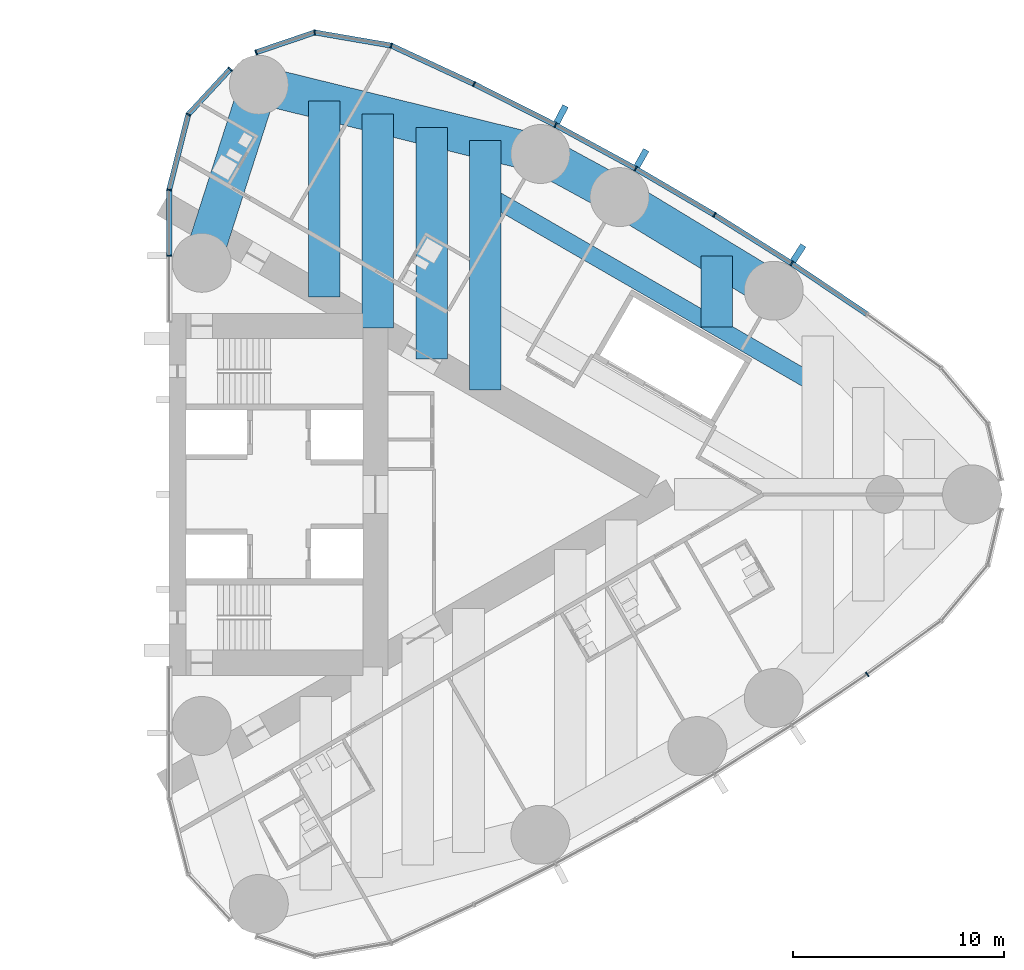
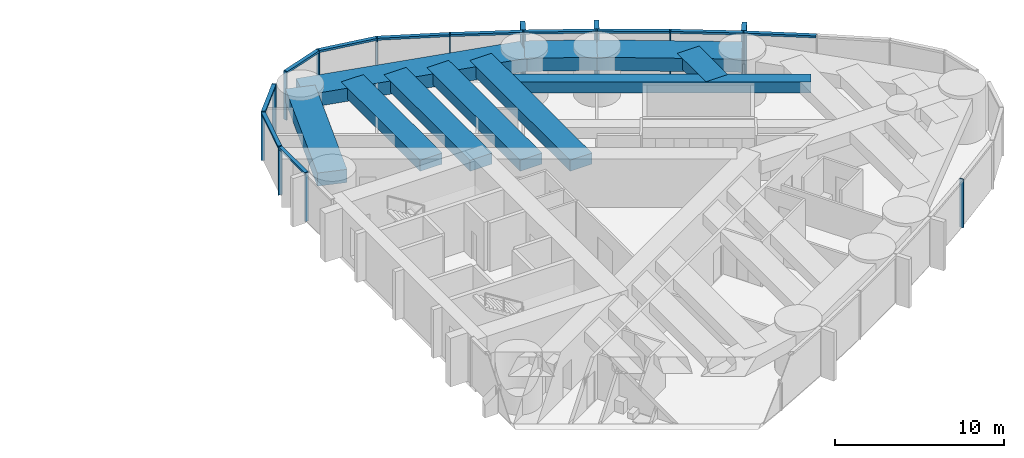
# One storey, part 8 of 19: 27 members, 10 beams, 3 elements without a shape of their own.
"""IFC4 building model written with IfcOpenShell, lengths in metres."""

import ifcopenshell
import ifcopenshell.guid

model = None  # the IFC model being written
_history = None  # IfcOwnerHistory: only IFC2X3 demands one
_inside = {}  # id of a spatial element -> (the spatial element, [elements in it])
_under = {}  # id of a project, library or spatial element -> (it, [spatial elements below it])
_declared = {}  # id of a project -> (the project, [libraries it declares])
_typed = {}  # id of a type object -> (the type object, [elements of that type])
_made_of = {}  # id of a material, layer set ... -> (it, [elements and type objects made of it])


def new_model(schema):
    """Start an empty IFC model of exactly this schema.

    Asked for "IFC4X3", IfcOpenShell would pick the latest addendum, in which some entities
    have other attributes; the version numbers below select the first issue.
    IFC2X3 requires an IfcOwnerHistory on every rooted entity: one is made here for all.
    """
    global model, _history
    if schema == "IFC4X3":
        model = ifcopenshell.file(schema_version=(4, 3, 0, 0))
    else:
        model = ifcopenshell.file(schema=schema)
    _inside.clear()
    _under.clear()
    _declared.clear()
    _typed.clear()
    _made_of.clear()
    _history = None
    if model.schema == "IFC2X3":
        org = make("IfcOrganization", Name="unknown")
        user = make(
            "IfcPersonAndOrganization",
            ThePerson=make("IfcPerson", FamilyName="unknown"),
            TheOrganization=org,
        )
        app = make(
            "IfcApplication",
            ApplicationDeveloper=org,
            Version="unknown",
            ApplicationFullName="unknown",
            ApplicationIdentifier="unknown",
        )
        _history = make(
            "IfcOwnerHistory",
            OwningUser=user,
            OwningApplication=app,
            ChangeAction="ADDED",
            CreationDate=0,
        )
    return model


def make(cls, **values):
    """One entity of the class cls with the attributes given. An attribute that is None is left unset."""
    return model.create_entity(
        cls, **{name: value for name, value in values.items() if value is not None}
    )


def rooted(cls, **values):
    """An entity with a GlobalId (a new one), such as an element, a storey or a relation."""
    return make(cls, GlobalId=ifcopenshell.guid.new(), OwnerHistory=_history, **values)


def si_unit(unit_type, name, prefix=None):
    """IfcSIUnit, for example si_unit("LENGTHUNIT", "METRE", prefix="MILLI")."""
    return make("IfcSIUnit", UnitType=unit_type, Prefix=prefix, Name=name)


def assignment(units):
    """IfcUnitAssignment: the units of a project."""
    return None if units is None else make("IfcUnitAssignment", Units=units)


def point(xyz):
    """IfcCartesianPoint."""
    return None if xyz is None else make("IfcCartesianPoint", Coordinates=xyz)


def direction(xyz):
    """IfcDirection."""
    return None if xyz is None else make("IfcDirection", DirectionRatios=xyz)


def frame(location, z_axis=None, x_axis=None):
    """IfcAxis2Placement3D, a coordinate frame: its origin and axes. An axis left out is left unset."""
    return make(
        "IfcAxis2Placement3D",
        Location=point(location),
        Axis=direction(z_axis),
        RefDirection=direction(x_axis),
    )


def frame_2d(location, x_axis=None):
    """IfcAxis2Placement2D, a coordinate frame in the plane: its origin and x axis."""
    return make(
        "IfcAxis2Placement2D", Location=point(location), RefDirection=direction(x_axis)
    )


def origin():
    """The frame at (0, 0, 0) with its axes left unset."""
    return frame((0.0, 0.0, 0.0))


def origin_2d():
    """The frame at (0, 0) in the plane with its x axis left unset."""
    return frame_2d((0.0, 0.0))


def place(relative_to, where):
    """IfcLocalPlacement: puts the frame where relative to a parent placement (None: the world)."""
    return make(
        "IfcLocalPlacement", PlacementRelTo=relative_to, RelativePlacement=where
    )


def context(
    kind, dimensions, precision=None, world=None, true_north=None, identifier=None
):
    """IfcGeometricRepresentationContext, for example the 3D "Model" context."""
    return make(
        "IfcGeometricRepresentationContext",
        ContextIdentifier=identifier,
        ContextType=kind,
        CoordinateSpaceDimension=dimensions,
        Precision=precision,
        WorldCoordinateSystem=world,
        TrueNorth=true_north,
    )


def subcontext(parent, identifier, kind, view, scale=None):
    """IfcGeometricRepresentationSubContext, for example "Body" below "Model"."""
    return make(
        "IfcGeometricRepresentationSubContext",
        ContextIdentifier=identifier,
        ContextType=kind,
        ParentContext=parent,
        TargetScale=scale,
        TargetView=view,
    )


def project(units=None, contexts=None):
    """IfcProject with its units and contexts."""
    return rooted(
        "IfcProject",
        Name="project",
        RepresentationContexts=contexts,
        UnitsInContext=assignment(units),
    )


def spatial(cls, under=None, at=None, **own):
    """A site, building, storey or space (cls), placed at a placement, below another one or the project."""
    s = rooted(cls, ObjectPlacement=at, **own)
    if under is not None:
        _under.setdefault(under.id(), (under, []))[1].append(s)
    return s


def profile(cls, at=None, kind="AREA", **sizes):
    """A parametric profile (cls). Its sizes go by their IFC names, for example OverallWidth=200.0."""
    return make(cls, ProfileType=kind, Position=at, **sizes)


def rectangle(**sizes):
    """IfcRectangleProfileDef."""
    return profile("IfcRectangleProfileDef", **sizes)


def hollow_rectangle(**sizes):
    """IfcRectangleHollowProfileDef."""
    return profile("IfcRectangleHollowProfileDef", **sizes)


def extrude(swept, where, along, depth):
    """IfcExtrudedAreaSolid: the profile swept, set in the frame where, extruded along a direction by depth."""
    return make(
        "IfcExtrudedAreaSolid",
        SweptArea=swept,
        Position=where,
        ExtrudedDirection=direction(along),
        Depth=depth,
    )


def shape(context_of_items, identifier, shape_type, items):
    """IfcShapeRepresentation: the items that make up one representation, for example the "Body"."""
    return make(
        "IfcShapeRepresentation",
        ContextOfItems=context_of_items,
        RepresentationIdentifier=identifier,
        RepresentationType=shape_type,
        Items=items,
    )


def material(Name=None, Category=None):
    """IfcMaterial."""
    return make("IfcMaterial", Name=Name, Category=Category)


def material_profile(
    of_material, cross_section, Name=None, Category=None, Priority=None
):
    """IfcMaterialProfile: a cross section and its material."""
    return make(
        "IfcMaterialProfile",
        Name=Name,
        Material=of_material,
        Profile=cross_section,
        Priority=Priority,
        Category=Category,
    )


def profile_set(profiles, Name=None, composite=None):
    """IfcMaterialProfileSet."""
    return make(
        "IfcMaterialProfileSet",
        Name=Name,
        MaterialProfiles=profiles,
        CompositeProfile=composite,
    )


def made_of(thing, what):
    """Note that an element or type object is made of a material, layer set ...; save() writes the relation."""
    if what is not None:
        _made_of.setdefault(what.id(), (what, []))[1].append(thing)
    return thing


def type_object(cls, material=None, **own):
    """A type object (cls), such as IfcWallType, which elements share."""
    return made_of(rooted(cls, **own), material)


def element(
    cls,
    number,
    at=None,
    inside=None,
    cuts=None,
    type_object=None,
    material=None,
    context=None,
    identifier="Body",
    shape_type=None,
    held_by="IfcProductDefinitionShape",
    body=None,
    shapes=None,
    **own,
):
    """One element of the class cls, such as IfcWall. Its Tag is "e" and its number.

    at: its placement. inside: the storey or other place that contains it. cuts: it is an
    opening in that element (IfcRelVoidsElement). A single representation is given by context,
    identifier, shape_type and body (its items); several are given by shapes. held_by: the class
    of the entity that holds the representations. save() writes the other relations.
    """
    e = rooted(cls, Tag="e%d" % number, ObjectPlacement=at, **own)
    if body is not None:
        shapes = [shape(context, identifier, shape_type, body)]
    if shapes is not None:
        e.Representation = make(held_by, Representations=shapes)
    if inside is not None:
        _inside.setdefault(inside.id(), (inside, []))[1].append(e)
    if cuts is not None:
        rooted(
            "IfcRelVoidsElement", RelatingBuildingElement=cuts, RelatedOpeningElement=e
        )
    if type_object is not None:
        _typed.setdefault(type_object.id(), (type_object, []))[1].append(e)
    return made_of(e, material)


def aggregate(whole, parts):
    """IfcRelAggregates: a whole, such as a stair, and the parts it consists of."""
    return rooted("IfcRelAggregates", RelatingObject=whole, RelatedObjects=parts)


def save(model, path):
    """Write the relations noted so far, then the file.

    IfcRelAggregates (storeys below a building ...), IfcRelContainedInSpatialStructure (elements
    in a storey), IfcRelDefinesByType, IfcRelAssociatesMaterial and IfcRelDeclares: one each for
    every whole, place, type object, material and project.
    """
    for whole, parts in _under.values():
        aggregate(whole, parts)
    for where, things in _inside.values():
        rooted(
            "IfcRelContainedInSpatialStructure",
            RelatedElements=things,
            RelatingStructure=where,
        )
    for kind, things in _typed.values():
        rooted("IfcRelDefinesByType", RelatedObjects=things, RelatingType=kind)
    for what, things in _made_of.values():
        rooted("IfcRelAssociatesMaterial", RelatedObjects=things, RelatingMaterial=what)
    for by, libraries in _declared.values():
        rooted("IfcRelDeclares", RelatingContext=by, RelatedDefinitions=libraries)
    model.write(path)


model = new_model("IFC4")

# Units and contexts
model_context = context("Model", 3, precision=1e-05, world=origin(), true_north=direction((0.0, 1.0)))
body_context = subcontext(model_context, "Body", "Model", "MODEL_VIEW")
ifc_project = project(units=[si_unit("LENGTHUNIT", "METRE"), si_unit("AREAUNIT", "SQUARE_METRE"), si_unit("VOLUMEUNIT", "CUBIC_METRE"), si_unit("PLANEANGLEUNIT", "RADIAN"), si_unit("MASSUNIT", "GRAM", prefix="KILO")], contexts=[model_context])

# Site, building, storey
site_placement = place(None, origin())
site = spatial("IfcSite", under=ifc_project, at=site_placement, CompositionType="ELEMENT")
building_placement = place(site_placement, origin())
building = spatial("IfcBuilding", under=site, at=building_placement, Name="Lancet Gate Hotel", CompositionType="ELEMENT")
storey_placement = place(building_placement, frame((0.0, 0.0, 173.800048828125)))
storey = spatial("IfcBuildingStorey", under=building, at=storey_placement, Name="L46", CompositionType="ELEMENT", Elevation=173.800048828125)

# Curtain wall, member
ifc_material_1 = material(Name="Aluminium curtain wall", Category="aluminium")
curtain_wall_type = type_object("IfcCurtainWallType", Name="Tower unitised curtain wall", PredefinedType="USERDEFINED", material=ifc_material_1)
curtain_wall_1_placement = place(storey_placement, origin())
curtain_wall_1 = element("IfcCurtainWall", 1, at=curtain_wall_1_placement, inside=storey, type_object=curtain_wall_type, Name="T2 L46 curtain wall 2", ObjectType="UNITISED CURTAIN WALL", PredefinedType="USERDEFINED")
ifc_material_2 = material(Name="Aluminium mullion", Category="aluminium")
ifc_material_profile_1 = material_profile(ifc_material_2, rectangle(XDim=0.06494140625, YDim=0.25, at=origin_2d()), Name="MULLION 65x250")
ifc_profile_set_1 = profile_set([ifc_material_profile_1], Name="Aluminium mullion")
member_type_1 = type_object("IfcMemberType", Name="Aluminium mullion 65x250", PredefinedType="MULLION", material=ifc_profile_set_1)
member_1_placement = place(storey_placement, frame((60.66015625, -8.547607421875, 0.0), z_axis=(0.0, 0.0, 1.0), x_axis=(0.820068208435, 0.572265789222, 0.0)))
member_1 = element("IfcMember", 2, at=member_1_placement, type_object=member_type_1, Name="T2 L46 curtain wall 2 mullion 9", PredefinedType="MULLION", context=body_context, shape_type="SweptSolid", body=[
    extrude(rectangle(XDim=0.06494140625, YDim=0.25, at=origin_2d()), origin(), (0.0, 0.0, 1.0), 3.5),
])
aggregate(curtain_wall_1, [member_1])

# Curtain wall, members
curtain_wall_2_placement = place(storey_placement, origin())
curtain_wall_2 = element("IfcCurtainWall", 3, at=curtain_wall_2_placement, inside=storey, type_object=curtain_wall_type, Name="T2 L46 curtain wall 3", ObjectType="UNITISED CURTAIN WALL", PredefinedType="USERDEFINED")
member_2_placement = place(storey_placement, frame((57.067138671875, 10.970947265625, 0.0), z_axis=(0.0, 0.0, 1.0), x_axis=(-0.837800943278, 0.545975804815, 0.0)))
member_2 = element("IfcMember", 4, at=member_2_placement, type_object=member_type_1, Name="T2 L46 curtain wall 3 mullion 5", PredefinedType="MULLION", context=body_context, shape_type="SweptSolid", body=[
    extrude(rectangle(XDim=0.06494140625, YDim=0.25, at=origin_2d()), origin(), (0.0, 0.0, 1.0), 3.5),
])
member_3_placement = place(storey_placement, frame((53.39892578125, 13.279541015625, 0.0), z_axis=(0.0, 0.0, 1.0), x_axis=(-0.854691174453, 0.519136779965, 0.0)))
member_3 = element("IfcMember", 5, at=member_3_placement, type_object=member_type_1, Name="T2 L46 curtain wall 3 mullion 6", PredefinedType="MULLION", context=body_context, shape_type="SweptSolid", body=[
    extrude(rectangle(XDim=0.06494140625, YDim=0.25, at=origin_2d()), origin(), (0.0, 0.0, 1.0), 3.5),
])
member_4_placement = place(storey_placement, frame((49.65966796875, 15.47021484375, 0.0), z_axis=(0.0, 0.0, 1.0), x_axis=(-0.870721916932, 0.491775704336, 0.0)))
member_4 = element("IfcMember", 6, at=member_4_placement, type_object=member_type_1, Name="T2 L46 curtain wall 3 mullion 7", PredefinedType="MULLION", context=body_context, shape_type="SweptSolid", body=[
    extrude(rectangle(XDim=0.06494140625, YDim=0.25, at=origin_2d()), origin(), (0.0, 0.0, 1.0), 3.5),
])
member_5_placement = place(storey_placement, frame((45.8525390625, 17.54150390625, 0.0), z_axis=(0.0, 0.0, 1.0), x_axis=(-0.885877049989, 0.463920092584, 0.0)))
member_5 = element("IfcMember", 7, at=member_5_placement, type_object=member_type_1, Name="T2 L46 curtain wall 3 mullion 8", PredefinedType="MULLION", context=body_context, shape_type="SweptSolid", body=[
    extrude(rectangle(XDim=0.06494140625, YDim=0.25, at=origin_2d()), origin(), (0.0, 0.0, 1.0), 3.5),
])
member_6_placement = place(storey_placement, frame((41.98193359375, 19.490966796875, 0.0), z_axis=(0.0, 0.0, 1.0), x_axis=(-0.900141333422, 0.435597956681, 0.0)))
member_6 = element("IfcMember", 8, at=member_6_placement, type_object=member_type_1, Name="T2 L46 curtain wall 3 mullion 9", PredefinedType="MULLION", context=body_context, shape_type="SweptSolid", body=[
    extrude(rectangle(XDim=0.06494140625, YDim=0.25, at=origin_2d()), origin(), (0.0, 0.0, 1.0), 3.5),
])
member_7_placement = place(storey_placement, frame((38.05126953125, 21.31689453125, 0.0), z_axis=(0.0, 0.0, 1.0), x_axis=(-0.951355493327, 0.308095318555, 0.0)))
member_7 = element("IfcMember", 9, at=member_7_placement, type_object=member_type_1, Name="T2 L46 curtain wall 3 mullion 10", PredefinedType="MULLION", context=body_context, shape_type="SweptSolid", body=[
    extrude(rectangle(XDim=0.06494140625, YDim=0.25, at=origin_2d()), origin(), (0.0, 0.0, 1.0), 3.5),
])
member_8_placement = place(storey_placement, frame((34.412109375, 21.9423828125, 0.0), z_axis=(0.0, 0.0, 1.0), x_axis=(-0.99877556888, -0.049470829879, 0.0)))
member_8 = element("IfcMember", 10, at=member_8_placement, type_object=member_type_1, Name="T2 L46 curtain wall 3 mullion 11", PredefinedType="MULLION", context=body_context, shape_type="SweptSolid", body=[
    extrude(rectangle(XDim=0.06494140625, YDim=0.25, at=origin_2d()), origin(), (0.0, 0.0, 1.0), 3.5),
])
member_9_placement = place(storey_placement, frame((31.631591796875, 20.998779296875, 0.0), z_axis=(0.0, 0.0, 1.0), x_axis=(-0.946952368511, -0.321373943827, 0.0)))
member_9 = element("IfcMember", 11, at=member_9_placement, type_object=member_type_1, Name="T2 L46 curtain wall 3 mullion 12", PredefinedType="MULLION", context=body_context, shape_type="SweptSolid", body=[
    extrude(rectangle(XDim=0.06494140625, YDim=0.25, at=origin_2d()), origin(), (0.0, 0.0, 1.0), 3.5),
])

curtain_wall_3_placement = place(storey_placement, origin())
curtain_wall_3 = element("IfcCurtainWall", 12, at=curtain_wall_3_placement, inside=storey, type_object=curtain_wall_type, Name="T2 L46 curtain wall 4", ObjectType="UNITISED CURTAIN WALL", PredefinedType="USERDEFINED")
member_10_placement = place(storey_placement, frame((30.40185546875, 20.199951171875, 0.0), z_axis=(0.0, 0.0, 1.0), x_axis=(-0.67883123083, -0.734294327943, 0.0)))
member_10 = element("IfcMember", 13, at=member_10_placement, type_object=member_type_1, Name="T2 L46 curtain wall 4 mullion 1", PredefinedType="MULLION", context=body_context, shape_type="SweptSolid", body=[
    extrude(rectangle(XDim=0.06494140625, YDim=0.25, at=origin_2d()), origin(), (0.0, 0.0, 1.0), 3.5),
])
member_11_placement = place(storey_placement, frame((28.408935546875, 18.04443359375, 0.0), z_axis=(0.0, 0.0, 1.0), x_axis=(-0.451505925065, -0.892268120932, 0.0)))
member_11 = element("IfcMember", 14, at=member_11_placement, type_object=member_type_1, Name="T2 L46 curtain wall 4 mullion 2", PredefinedType="MULLION", context=body_context, shape_type="SweptSolid", body=[
    extrude(rectangle(XDim=0.06494140625, YDim=0.25, at=origin_2d()), origin(), (0.0, 0.0, 1.0), 3.5),
])
member_12_placement = place(storey_placement, frame((27.5, 14.465576171875, 0.0), z_axis=(0.0, 0.0, 1.0), x_axis=(-0.134206524909, -0.990953383703, 0.0)))
member_12 = element("IfcMember", 15, at=member_12_placement, type_object=member_type_1, Name="T2 L46 curtain wall 4 mullion 3", PredefinedType="MULLION", context=body_context, shape_type="SweptSolid", body=[
    extrude(rectangle(XDim=0.06494140625, YDim=0.25, at=origin_2d()), origin(), (0.0, 0.0, 1.0), 3.5),
])
member_13_placement = place(storey_placement, frame((27.5, 11.332763671875, 0.0), z_axis=(0.0, 0.0, 1.0), x_axis=(0.0, -1.0, 0.0)))
member_13 = element("IfcMember", 16, at=member_13_placement, type_object=member_type_1, Name="T2 L46 curtain wall 4 mullion 4", PredefinedType="MULLION", context=body_context, shape_type="SweptSolid", body=[
    extrude(rectangle(XDim=0.06494140625, YDim=0.25, at=origin_2d()), origin(), (0.0, 0.0, 1.0), 3.5),
])

# Member
ifc_material_3 = material(Name="Aluminium transom", Category="aluminium")
ifc_material_profile_2 = material_profile(ifc_material_3, rectangle(XDim=0.25, YDim=0.14990234375, at=origin_2d()), Name="TRANSOM 250x150")
ifc_profile_set_2 = profile_set([ifc_material_profile_2], Name="Aluminium transom")
member_type_2 = type_object("IfcMemberType", Name="Aluminium transom 250x150", PredefinedType="USERDEFINED", material=ifc_profile_set_2)
member_14_placement = place(storey_placement, frame((60.63330078125, 8.565673828125, 3.425048828125), z_axis=(-0.829046850689, 0.559179147826, 0.0), x_axis=(-0.559179147826, -0.829046850689, 0.0)))
member_14 = element("IfcMember", 17, at=member_14_placement, type_object=member_type_2, Name="T2 L46 curtain wall 3 transom 4", ObjectType="TRANSOM", PredefinedType="USERDEFINED", context=body_context, shape_type="SweptSolid", body=[
    extrude(rectangle(XDim=0.25, YDim=0.14990234375, at=origin_2d()), origin(), (0.0, 0.0, 1.0), 4.26904296875),
])

member_15_placement = place(storey_placement, frame((57.03955078125, 10.98828125, 3.425048828125), z_axis=(-0.846333101657, 0.532653997488, 0.0), x_axis=(-0.532653997488, -0.846333101657, 0.0)))
member_15 = element("IfcMember", 18, at=member_15_placement, type_object=member_type_2, Name="T2 L46 curtain wall 3 transom 5", ObjectType="TRANSOM", PredefinedType="USERDEFINED", context=body_context, shape_type="SweptSolid", body=[
    extrude(rectangle(XDim=0.25, YDim=0.14990234375, at=origin_2d()), origin(), (0.0, 0.0, 1.0), 4.26904296875),
])

member_16_placement = place(storey_placement, frame((53.37109375, 13.2958984375, 3.425048828125), z_axis=(-0.862825279032, 0.505502262966, 0.0), x_axis=(-0.505502262966, -0.862825279032, 0.0)))
member_16 = element("IfcMember", 19, at=member_16_placement, type_object=member_type_2, Name="T2 L46 curtain wall 3 transom 6", ObjectType="TRANSOM", PredefinedType="USERDEFINED", context=body_context, shape_type="SweptSolid", body=[
    extrude(rectangle(XDim=0.25, YDim=0.14990234375, at=origin_2d()), origin(), (0.0, 0.0, 1.0), 4.26904296875),
])

member_17_placement = place(storey_placement, frame((49.631103515625, 15.48583984375, 3.425048828125), z_axis=(-0.878404302735, 0.477918278513, 0.0), x_axis=(-0.477918278513, -0.878404302735, 0.0)))
member_17 = element("IfcMember", 20, at=member_17_placement, type_object=member_type_2, Name="T2 L46 curtain wall 3 transom 7", ObjectType="TRANSOM", PredefinedType="USERDEFINED", context=body_context, shape_type="SweptSolid", body=[
    extrude(rectangle(XDim=0.25, YDim=0.14990234375, at=origin_2d()), origin(), (0.0, 0.0, 1.0), 4.26904296875),
])

member_18_placement = place(storey_placement, frame((45.82373046875, 17.55615234375, 3.425048828125), z_axis=(-0.893130969207, 0.449796700571, 0.0), x_axis=(-0.449796700571, -0.893130969207, 0.0)))
member_18 = element("IfcMember", 21, at=member_18_placement, type_object=member_type_2, Name="T2 L46 curtain wall 3 transom 8", ObjectType="TRANSOM", PredefinedType="USERDEFINED", context=body_context, shape_type="SweptSolid", body=[
    extrude(rectangle(XDim=0.25, YDim=0.14990234375, at=origin_2d()), origin(), (0.0, 0.0, 1.0), 4.26904296875),
])

member_19_placement = place(storey_placement, frame((41.952392578125, 19.504638671875, 3.425048828125), z_axis=(-0.906913768492, 0.421316290357, 0.0), x_axis=(-0.421316290357, -0.906913768492, 0.0)))
member_19 = element("IfcMember", 22, at=member_19_placement, type_object=member_type_2, Name="T2 L46 curtain wall 3 transom 9", ObjectType="TRANSOM", PredefinedType="USERDEFINED", context=body_context, shape_type="SweptSolid", body=[
    extrude(rectangle(XDim=0.25, YDim=0.14990234375, at=origin_2d()), origin(), (0.0, 0.0, 1.0), 4.26904296875),
])

member_20_placement = place(storey_placement, frame((38.019287109375, 21.322265625, 3.425048828125), z_axis=(-0.985536950873, 0.169460669373, 0.0), x_axis=(-0.169460669373, -0.985536950873, 0.0)))
member_20 = element("IfcMember", 23, at=member_20_placement, type_object=member_type_2, Name="T2 L46 curtain wall 3 transom 10", ObjectType="TRANSOM", PredefinedType="USERDEFINED", context=body_context, shape_type="SweptSolid", body=[
    extrude(rectangle(XDim=0.25, YDim=0.14990234375, at=origin_2d()), origin(), (0.0, 0.0, 1.0), 3.627685546875),
])

member_21_placement = place(storey_placement, frame((34.38134765625, 21.93212890625, 3.425048828125), z_axis=(-0.946943122832, -0.321401185625, 0.0), x_axis=(0.321401185625, -0.946943122832, 0.0)))
member_21 = element("IfcMember", 24, at=member_21_placement, type_object=member_type_2, Name="T2 L46 curtain wall 3 transom 11", ObjectType="TRANSOM", PredefinedType="USERDEFINED", context=body_context, shape_type="SweptSolid", body=[
    extrude(rectangle(XDim=0.25, YDim=0.14990234375, at=origin_2d()), origin(), (0.0, 0.0, 1.0), 2.871337890625),
])

member_22_placement = place(storey_placement, frame((30.379638671875, 20.17626953125, 3.425048828125), z_axis=(-0.678792146129, -0.734330458549, 0.0), x_axis=(0.734330458549, -0.678792146129, 0.0)))
member_22 = element("IfcMember", 25, at=member_22_placement, type_object=member_type_2, Name="T2 L46 curtain wall 4 transom 1", ObjectType="TRANSOM", PredefinedType="USERDEFINED", context=body_context, shape_type="SweptSolid", body=[
    extrude(rectangle(XDim=0.25, YDim=0.14990234375, at=origin_2d()), origin(), (0.0, 0.0, 1.0), 2.87060546875),
])

member_23_placement = place(storey_placement, frame((28.40087890625, 18.012939453125, 3.425048828125), z_axis=(-0.246128756616, -0.969237140831, 0.0), x_axis=(0.969237140831, -0.246128756616, 0.0)))
member_23 = element("IfcMember", 26, at=member_23_placement, type_object=member_type_2, Name="T2 L46 curtain wall 4 transom 2", ObjectType="TRANSOM", PredefinedType="USERDEFINED", context=body_context, shape_type="SweptSolid", body=[
    extrude(rectangle(XDim=0.25, YDim=0.14990234375, at=origin_2d()), origin(), (0.0, 0.0, 1.0), 3.62744140625),
])

member_24_placement = place(storey_placement, frame((27.5, 14.43310546875, 3.425048828125), z_axis=(0.0, -1.0, 0.0), x_axis=(1.0, 0.0, 0.0)))
member_24 = element("IfcMember", 27, at=member_24_placement, type_object=member_type_2, Name="T2 L46 curtain wall 4 transom 3", ObjectType="TRANSOM", PredefinedType="USERDEFINED", context=body_context, shape_type="SweptSolid", body=[
    extrude(rectangle(XDim=0.25, YDim=0.14990234375, at=origin_2d()), origin(), (0.0, 0.0, 1.0), 3.06787109375),
])

aggregate(curtain_wall_3, [member_10, member_11, member_12, member_13, member_22, member_23, member_24])

# Beams
ifc_material_4 = material(Name="Concrete C50/60", Category="concrete")
ifc_material_profile_3 = material_profile(ifc_material_4, rectangle(XDim=1.800048828125, YDim=0.949951171875, at=origin_2d()), Name="RC 1800x950")
ifc_profile_set_3 = profile_set([ifc_material_profile_3], Name="Concrete C50/60")
beam_type_1 = type_object("IfcBeamType", Name="Edge beam RC 1800x950", PredefinedType="SPANDREL", material=ifc_profile_set_3)
beam_1_placement = place(storey_placement, frame((56.220947265625, 9.67236328125, 2.77490234375), z_axis=(-0.854692251129, 0.519135007353, 0.0), x_axis=(-0.519135007353, -0.854692251129, 0.0)))
element("IfcBeam", 28, at=beam_1_placement, inside=storey, type_object=beam_type_1, Name="T2 edge beam EB1 L46", PredefinedType="SPANDREL", context=body_context, shape_type="SweptSolid", body=[
    extrude(rectangle(XDim=1.800048828125, YDim=0.949951171875, at=origin_2d()), origin(), (0.0, 0.0, 1.0), 8.568603515625),
])
beam_2_placement = place(storey_placement, frame((48.8974609375, 14.12060546875, 2.77490234375), z_axis=(-0.878404597051, 0.477917737566, 0.0), x_axis=(-0.477917737566, -0.878404597051, 0.0)))
element("IfcBeam", 29, at=beam_2_placement, inside=storey, type_object=beam_type_1, Name="T2 edge beam EB1 L46", PredefinedType="SPANDREL", context=body_context, shape_type="SweptSolid", body=[
    extrude(rectangle(XDim=1.800048828125, YDim=0.949951171875, at=origin_2d()), origin(), (0.0, 0.0, 1.0), 4.284912109375),
])
beam_3_placement = place(storey_placement, frame((45.133544921875, 16.16845703125, 2.77490234375), z_axis=(-0.971093253227, 0.238700426344, 0.0), x_axis=(-0.238700426344, -0.971093253227, 0.0)))
element("IfcBeam", 30, at=beam_3_placement, inside=storey, type_object=beam_type_1, Name="T2 edge beam EB1 L46", PredefinedType="SPANDREL", context=body_context, shape_type="SweptSolid", body=[
    extrude(rectangle(XDim=1.800048828125, YDim=0.949951171875, at=origin_2d()), origin(), (0.0, 0.0, 1.0), 13.77197265625),
])
beam_4_placement = place(storey_placement, frame((29.050048828125, 11.0, 2.77490234375), z_axis=(0.305169772986, 0.952297962644, 0.0), x_axis=(-0.952297962644, 0.305169772986, 0.0)))
element("IfcBeam", 31, at=beam_4_placement, inside=storey, type_object=beam_type_1, Name="T2 edge beam EB1 L46", PredefinedType="SPANDREL", context=body_context, shape_type="SweptSolid", body=[
    extrude(rectangle(XDim=1.800048828125, YDim=0.949951171875, at=origin_2d()), origin(), (0.0, 0.0, 1.0), 8.87939453125),
])

# Member
ifc_material_5 = material(Name="Precast concrete C50/60", Category="concrete")
ifc_material_profile_4 = material_profile(ifc_material_5, rectangle(XDim=0.300048828125, YDim=0.89990234375, at=origin_2d()), Name="FIN 300x900")
ifc_profile_set_4 = profile_set([ifc_material_profile_4], Name="Precast concrete C50/60")
member_type_3 = type_object("IfcMemberType", Name="Exposed concrete fin 300x900", PredefinedType="USERDEFINED", material=ifc_profile_set_4)
member_25_placement = place(storey_placement, frame((57.381103515625, 11.452880859375, 0.0), z_axis=(0.0, 0.0, 1.0), x_axis=(-0.837800943278, 0.545975804815, 0.0)))
member_25 = element("IfcMember", 32, at=member_25_placement, type_object=member_type_3, Name="T2 L46 curtain wall 3 fin 5", ObjectType="FIN", PredefinedType="USERDEFINED", context=body_context, shape_type="SweptSolid", body=[
    extrude(rectangle(XDim=0.300048828125, YDim=0.89990234375, at=origin_2d()), origin(), (0.0, 0.0, 1.0), 3.5),
])

member_26_placement = place(storey_placement, frame((49.9423828125, 15.970947265625, 0.0), z_axis=(0.0, 0.0, 1.0), x_axis=(-0.870721916932, 0.491775704336, 0.0)))
member_26 = element("IfcMember", 33, at=member_26_placement, type_object=member_type_3, Name="T2 L46 curtain wall 3 fin 7", ObjectType="FIN", PredefinedType="USERDEFINED", context=body_context, shape_type="SweptSolid", body=[
    extrude(rectangle(XDim=0.300048828125, YDim=0.89990234375, at=origin_2d()), origin(), (0.0, 0.0, 1.0), 3.5),
])

member_27_placement = place(storey_placement, frame((46.119384765625, 18.051025390625, 0.0), z_axis=(0.0, 0.0, 1.0), x_axis=(-0.885877049989, 0.463920092584, 0.0)))
member_27 = element("IfcMember", 34, at=member_27_placement, type_object=member_type_3, Name="T2 L46 curtain wall 3 fin 8", ObjectType="FIN", PredefinedType="USERDEFINED", context=body_context, shape_type="SweptSolid", body=[
    extrude(rectangle(XDim=0.300048828125, YDim=0.89990234375, at=origin_2d()), origin(), (0.0, 0.0, 1.0), 3.5),
])

aggregate(curtain_wall_2, [member_2, member_25, member_3, member_4, member_26, member_5, member_27, member_6, member_7, member_8, member_9, member_14, member_15, member_16, member_17, member_18, member_19, member_20, member_21])

# Beams
ifc_material_6 = material(Name="Concrete C50/60", Category="concrete")
ifc_material_profile_5 = material_profile(ifc_material_6, rectangle(XDim=1.5, YDim=0.800048828125, at=origin_2d()), Name="RC 1500x800")
ifc_profile_set_5 = profile_set([ifc_material_profile_5], Name="Concrete C50/60")
beam_type_2 = type_object("IfcBeamType", Name="Floor beam RC 1500x800", PredefinedType="BEAM", material=ifc_profile_set_5)
beam_5_placement = place(storey_placement, frame((34.859619140625, 9.377685546875, 2.849853515625), z_axis=(0.0, 1.0, 0.0), x_axis=(-1.0, 0.0, 0.0)))
element("IfcBeam", 35, at=beam_5_placement, inside=storey, type_object=beam_type_2, Name="T2 floor beam F02N L46", PredefinedType="BEAM", context=body_context, shape_type="SweptSolid", body=[
    extrude(rectangle(XDim=1.5, YDim=0.800048828125, at=origin_2d()), origin(), (0.0, 0.0, 1.0), 9.316162109375),
])
beam_6_placement = place(storey_placement, frame((37.412841796875, 7.903564453125, 2.849853515625), z_axis=(0.0, 1.0, 0.0), x_axis=(-1.0, 0.0, 0.0)))
element("IfcBeam", 36, at=beam_6_placement, inside=storey, type_object=beam_type_2, Name="T2 floor beam F04N L46", PredefinedType="BEAM", context=body_context, shape_type="SweptSolid", body=[
    extrude(rectangle(XDim=1.5, YDim=0.800048828125, at=origin_2d()), origin(), (0.0, 0.0, 1.0), 10.16259765625),
])
beam_7_placement = place(storey_placement, frame((39.9658203125, 6.429443359375, 2.849853515625), z_axis=(0.0, 1.0, 0.0), x_axis=(-1.0, 0.0, 0.0)))
element("IfcBeam", 37, at=beam_7_placement, inside=storey, type_object=beam_type_2, Name="T2 floor beam F06N L46", PredefinedType="BEAM", context=body_context, shape_type="SweptSolid", body=[
    extrude(rectangle(XDim=1.5, YDim=0.800048828125, at=origin_2d()), origin(), (0.0, 0.0, 1.0), 11.00927734375),
])
beam_8_placement = place(storey_placement, frame((42.51904296875, 4.95556640625, 2.849853515625), z_axis=(0.0, 1.0, 0.0), x_axis=(-1.0, 0.0, 0.0)))
element("IfcBeam", 38, at=beam_8_placement, inside=storey, type_object=beam_type_2, Name="T2 floor beam F08N L46", PredefinedType="BEAM", context=body_context, shape_type="SweptSolid", body=[
    extrude(rectangle(XDim=1.5, YDim=0.800048828125, at=origin_2d()), origin(), (0.0, 0.0, 1.0), 11.85546875),
])
beam_9_placement = place(storey_placement, frame((53.502197265625, 7.94775390625, 2.849853515625), z_axis=(0.0, 1.0, 0.0), x_axis=(-1.0, 0.0, 0.0)))
element("IfcBeam", 39, at=beam_9_placement, inside=storey, type_object=beam_type_2, Name="T2 floor beam F11NB L46", PredefinedType="BEAM", context=body_context, shape_type="SweptSolid", body=[
    extrude(rectangle(XDim=1.5, YDim=0.800048828125, at=origin_2d()), origin(), (0.0, 0.0, 1.0), 3.3759765625),
])
ifc_material_7 = material(Name="Steel S460QL", Category="steel")
ifc_material_profile_6 = material_profile(ifc_material_7, hollow_rectangle(XDim=0.800048828125, YDim=0.800048828125, WallThickness=0.080078125, at=origin_2d()), Name="BOX 800x800x80")
ifc_profile_set_6 = profile_set([ifc_material_profile_6], Name="Steel S460QL")
beam_type_3 = type_object("IfcBeamType", Name="Trimmer beam BOX 800x800x80", PredefinedType="BEAM", material=ifc_profile_set_6)
beam_10_placement = place(storey_placement, frame((42.51904296875, 14.289794921875, 2.849853515625), z_axis=(0.865993732867, -0.500054851626, 0.0), x_axis=(0.500054851626, 0.865993732867, 0.0)))
element("IfcBeam", 40, at=beam_10_placement, inside=storey, type_object=beam_type_3, Name="T2 trimmer beam TR01N L46", PredefinedType="BEAM", context=body_context, shape_type="SweptSolid", body=[
    extrude(hollow_rectangle(XDim=0.800048828125, YDim=0.800048828125, WallThickness=0.080078125, at=origin_2d()), origin(), (0.0, 0.0, 1.0), 18.2255859375),
])

save(model, "model.ifc")
